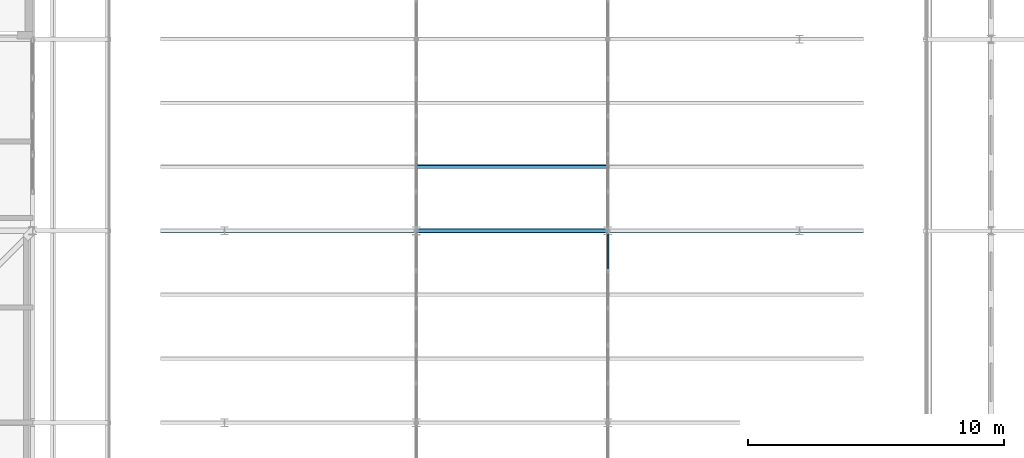
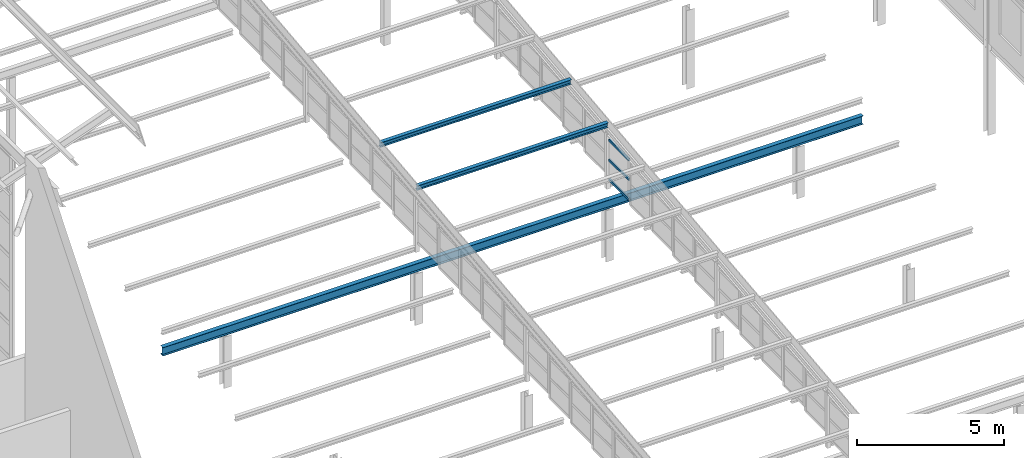
# One storey, part 61 of 483: 5 members, 1 beam, 1 element without a shape of its own.
"""IFC4 building model written with IfcOpenShell, lengths in metres."""

from ifc_helpers import new_model, si_unit, direction, frame, origin, origin_2d, place, context, subcontext, project, spatial, rectangle, i_section, extrude, material, material_profile, profile_set, type_object, element, aggregate, save


model = new_model("IFC4")

# Units and contexts
model_context = context("Model", 3, precision=1e-05, world=origin(), true_north=direction((0.0, 1.0)))
body_context = subcontext(model_context, "Body", "Model", "MODEL_VIEW")
ifc_project = project(units=[si_unit("LENGTHUNIT", "METRE"), si_unit("AREAUNIT", "SQUARE_METRE"), si_unit("VOLUMEUNIT", "CUBIC_METRE"), si_unit("PLANEANGLEUNIT", "RADIAN"), si_unit("MASSUNIT", "GRAM", prefix="KILO")], contexts=[model_context])

# Site, building, storey
site_placement = place(None, origin())
site = spatial("IfcSite", under=ifc_project, at=site_placement, CompositionType="ELEMENT")
building_placement = place(site_placement, origin())
building = spatial("IfcBuilding", under=site, at=building_placement, Name="Parallax Yard Mobility Hub", CompositionType="ELEMENT")
storey_placement = place(building_placement, frame((0.0, 0.0, 13.199951171875)))
storey = spatial("IfcBuildingStorey", under=building, at=storey_placement, Name="L04", CompositionType="ELEMENT", Elevation=13.199951171875)

# Beam
ifc_material_1 = material(Name="Steel ASTM A992", Category="steel")
ifc_material_profile_1 = material_profile(ifc_material_1, i_section(OverallWidth=0.1708984375, OverallDepth=0.35498046875, WebThickness=0.007080078125, FlangeThickness=0.01171875, at=origin_2d()), Name="W360x51")
ifc_profile_set_1 = profile_set([ifc_material_profile_1], Name="Steel ASTM A992")
beam_type = type_object("IfcBeamType", Name="Roof girder W360x51", PredefinedType="BEAM", material=ifc_profile_set_1)
beam_placement = place(storey_placement, frame((147.5, 37.5, 2.310791015625), z_axis=(1.0, 0.0, 0.0), x_axis=(0.0, 1.0, 0.0)))
element("IfcBeam", 1, at=beam_placement, inside=storey, type_object=beam_type, Name="Roof girder at y 37.5", PredefinedType="BEAM", context=body_context, shape_type="SweptSolid", body=[
    extrude(i_section(OverallWidth=0.1708984375, OverallDepth=0.35498046875, WebThickness=0.007080078125, FlangeThickness=0.01171875, at=origin_2d()), origin(), (0.0, 0.0, 1.0), 27.5),
])

# Members
ifc_material_profile_2 = material_profile(ifc_material_1, i_section(OverallWidth=0.133056640625, OverallDepth=0.20703125, WebThickness=0.005859375, FlangeThickness=0.00830078125, at=origin_2d()), Name="W200x27")
ifc_profile_set_2 = profile_set([ifc_material_profile_2], Name="Steel ASTM A992")
member_type_1 = type_object("IfcMemberType", Name="Roof purlin W200x27", PredefinedType="PURLIN", material=ifc_profile_set_2)
for number, where, z_axis, x_axis, name in (
    (2, (157.5, 37.511474609375, 5.5859375), (1.0, 0.0, 0.0), (0.0, 0.993883718765, 0.110431669255), "Monitor purlin at y 37.5"),
    (3, (157.5, 40.011474609375, 5.86376953125), (1.0, 0.0, 0.0), (0.0, 0.993883718765, 0.110431669255), "Monitor purlin at y 40"),
):
    element("IfcMember", number, at=place(storey_placement, frame(where, z_axis=z_axis, x_axis=x_axis)), inside=storey, type_object=member_type_1, Name=name, PredefinedType="PURLIN", context=body_context, shape_type="SweptSolid", body=[
        extrude(i_section(OverallWidth=0.133056640625, OverallDepth=0.20703125, WebThickness=0.005859375, FlangeThickness=0.00830078125, at=origin_2d()), origin(), (0.0, 0.0, 1.0), 7.5),
    ])

# Curtain wall, members
ifc_material_2 = material(Name="Thermally broken aluminium curtain wall system", Category="aluminium")
curtain_wall_type = type_object("IfcCurtainWallType", Name="Clerestory glazing run 60 x 120 frame", PredefinedType="NOTDEFINED", material=ifc_material_2)
curtain_wall_placement = place(storey_placement, origin())
curtain_wall = element("IfcCurtainWall", 4, at=curtain_wall_placement, inside=storey, type_object=curtain_wall_type, Name="Clerestory glazing run Bicycle and shared-mobility hall roof step 2 bay 4 level L02", PredefinedType="NOTDEFINED")
ifc_material_3 = material(Name="Extruded aluminium", Category="aluminium")
ifc_material_profile_3 = material_profile(ifc_material_3, rectangle(XDim=0.06005859375, YDim=0.10009765625, at=origin_2d()), Name="Transom 60 x 100")
ifc_profile_set_3 = profile_set([ifc_material_profile_3], Name="Extruded aluminium")
member_type_2 = type_object("IfcMemberType", Name="Transom 60 x 100", PredefinedType="USERDEFINED", material=ifc_profile_set_3)
member_1_placement = place(storey_placement, frame((165.0, 36.014404296875, 3.371337890625), z_axis=(0.0, 1.0, 0.0), x_axis=(-1.0, 0.0, 0.0)))
member_1 = element("IfcMember", 5, at=member_1_placement, type_object=member_type_2, Name="CW4 transom 1.1", ObjectType="TRANSOM", PredefinedType="USERDEFINED", context=body_context, shape_type="SweptSolid", body=[
    extrude(rectangle(XDim=0.06005859375, YDim=0.10009765625, at=origin_2d()), origin(), (0.0, 0.0, 1.0), 1.349365234375),
])
member_2_placement = place(storey_placement, frame((165.0, 36.014404296875, 4.189697265625), z_axis=(0.0, 1.0, 0.0), x_axis=(-1.0, 0.0, 0.0)))
member_2 = element("IfcMember", 6, at=member_2_placement, type_object=member_type_2, Name="CW4 transom 1.2", ObjectType="TRANSOM", PredefinedType="USERDEFINED", context=body_context, shape_type="SweptSolid", body=[
    extrude(rectangle(XDim=0.06005859375, YDim=0.10009765625, at=origin_2d()), origin(), (0.0, 0.0, 1.0), 1.349365234375),
])
member_3_placement = place(storey_placement, frame((165.0, 36.014404296875, 5.008056640625), z_axis=(0.0, 1.0, 0.0), x_axis=(-1.0, 0.0, 0.0)))
member_3 = element("IfcMember", 7, at=member_3_placement, type_object=member_type_2, Name="CW4 transom 1.3", ObjectType="TRANSOM", PredefinedType="USERDEFINED", context=body_context, shape_type="SweptSolid", body=[
    extrude(rectangle(XDim=0.06005859375, YDim=0.10009765625, at=origin_2d()), origin(), (0.0, 0.0, 1.0), 1.349365234375),
])
aggregate(curtain_wall, [member_1, member_2, member_3])

save(model, "model.ifc")
